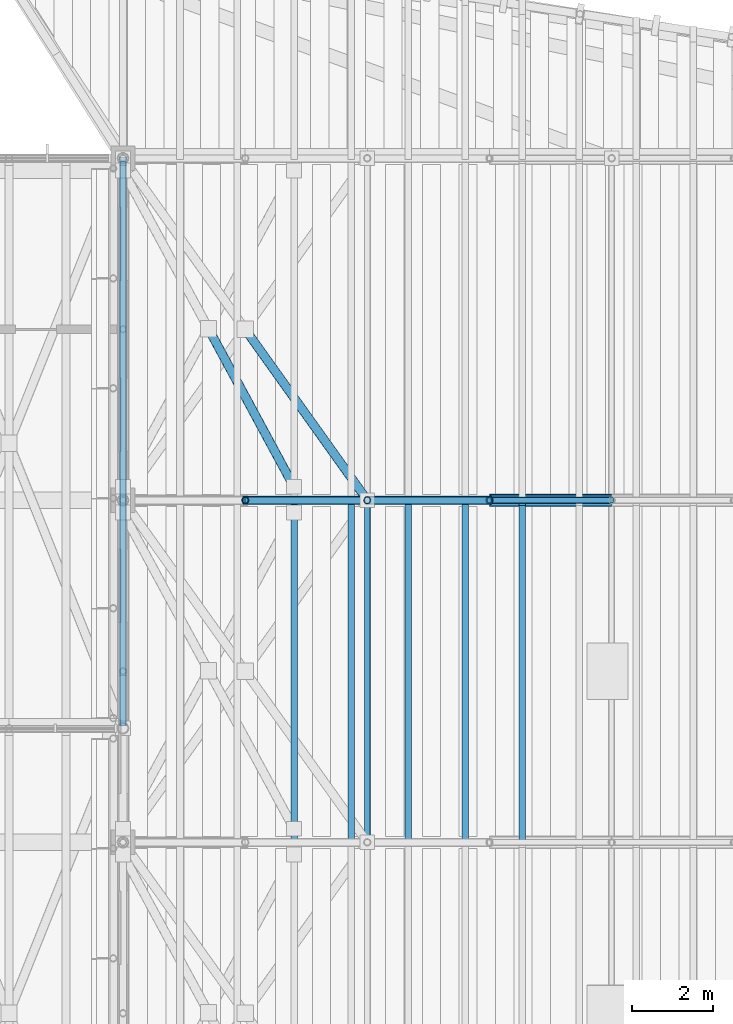
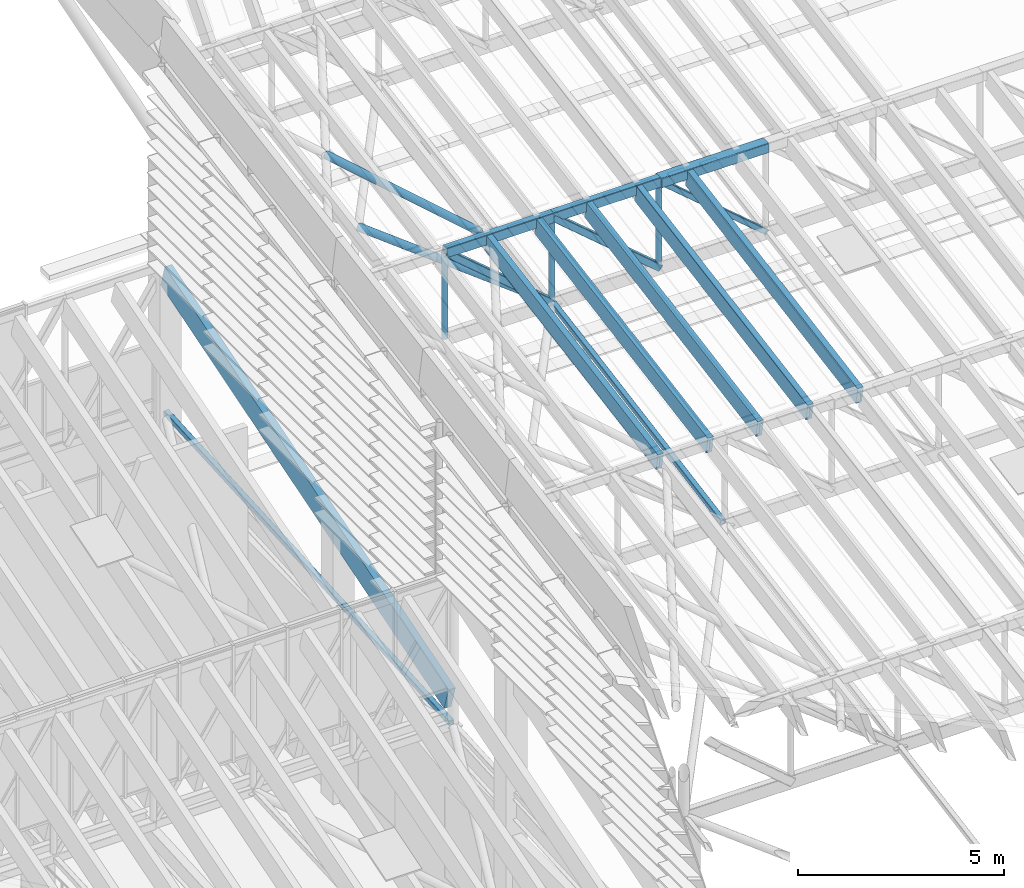
# One storey, part 36 of 91: 19 members.
"""IFC4 building model written with IfcOpenShell, lengths in metres."""

from ifc_helpers import new_model, si_unit, direction, frame, origin, origin_2d, place, context, subcontext, project, spatial, rectangle, hollow_rectangle, hollow_circle, extrude, material, material_profile, profile_set, type_object, element, save


model = new_model("IFC4")

# Units and contexts
model_context = context("Model", 3, precision=1e-05, world=origin(), true_north=direction((0.0, 1.0)))
body_context = subcontext(model_context, "Body", "Model", "MODEL_VIEW")
ifc_project = project(units=[si_unit("LENGTHUNIT", "METRE"), si_unit("AREAUNIT", "SQUARE_METRE"), si_unit("VOLUMEUNIT", "CUBIC_METRE"), si_unit("PLANEANGLEUNIT", "RADIAN"), si_unit("MASSUNIT", "GRAM", prefix="KILO")], contexts=[model_context])

# Site, building, storey
site_placement = place(None, origin())
site = spatial("IfcSite", under=ifc_project, at=site_placement, CompositionType="ELEMENT")
building_placement = place(site_placement, origin())
building = spatial("IfcBuilding", under=site, at=building_placement, Name="Almond Square Museum", CompositionType="ELEMENT")
storey_placement = place(building_placement, frame((0.0, 0.0, 30.0)))
storey = spatial("IfcBuildingStorey", under=building, at=storey_placement, Name="L05", CompositionType="ELEMENT", Elevation=30.0)

# Members
ifc_material_1 = material(Name="Glulam GL28h", Category="wood")
ifc_material_profile_1 = material_profile(ifc_material_1, rectangle(XDim=0.159912109375, YDim=0.5, at=origin_2d()))
ifc_profile_set_1 = profile_set([ifc_material_profile_1], Name="Glulam GL28h")
member_type_1 = type_object("IfcMemberType", Name="Glulam rafter GL28h 160x500", PredefinedType="RAFTER", material=ifc_profile_set_1)
for number, where, z_axis, x_axis, name in (
    (1, (111.0, 92.429931640625, 13.5), (0.0, 0.985031814679, 0.172372631444), (-1.0, 0.0, 0.0), "Hall rafter 6.4"),
    (2, (112.39990234375, 92.429931640625, 13.5), (0.0, 0.985031814679, 0.172372631444), (-1.0, 0.0, 0.0), "Hall rafter 6.5"),
    (3, (113.800048828125, 92.429931640625, 13.5), (0.0, 0.985031814679, 0.172372631444), (-1.0, 0.0, 0.0), "Hall rafter 6.6"),
    (4, (115.199951171875, 92.429931640625, 13.5), (0.0, 0.985031814679, 0.172372631444), (-1.0, 0.0, 0.0), "Hall rafter 6.7"),
):
    element("IfcMember", number, at=place(storey_placement, frame(where, z_axis=z_axis, x_axis=x_axis)), inside=storey, type_object=member_type_1, Name=name, PredefinedType="RAFTER", context=body_context, shape_type="SweptSolid", body=[
        extrude(rectangle(XDim=0.159912109375, YDim=0.5, at=origin_2d()), origin(), (0.0, 0.0, 1.0), 8.4599609375),
    ])
member_1_placement = place(storey_placement, frame((116.60009765625, 92.429931640625, 13.5), z_axis=(0.0, 0.985032439013, 0.172369063618), x_axis=(-1.0, 0.0, 0.0)))
element("IfcMember", 5, at=member_1_placement, inside=storey, type_object=member_type_1, Name="Hall rafter 6.8", PredefinedType="RAFTER", context=body_context, shape_type="SweptSolid", body=[
    extrude(rectangle(XDim=0.159912109375, YDim=0.5, at=origin_2d()), origin(), (0.0, 0.0, 1.0), 8.4091796875),
])
ifc_material_2 = material(Name="Glulam GL28h", Category="wood")
ifc_material_profile_2 = material_profile(ifc_material_2, rectangle(XDim=0.199951171875, YDim=0.699951171875, at=origin_2d()))
ifc_profile_set_2 = profile_set([ifc_material_profile_2], Name="Glulam GL28h")
member_type_2 = type_object("IfcMemberType", Name="Glulam rafter GL28h 200x700", PredefinedType="RAFTER", material=ifc_profile_set_2)
member_2_placement = place(storey_placement, frame((106.800048828125, 95.35791015625, 6.177734375), z_axis=(0.0, 0.956305482031, 0.29236932985), x_axis=(-1.0, 0.0, 0.0)))
element("IfcMember", 6, at=member_2_placement, inside=storey, type_object=member_type_2, Name="Atrium rafter 3.25", PredefinedType="RAFTER", context=body_context, shape_type="SweptSolid", body=[
    extrude(rectangle(XDim=0.199951171875, YDim=0.699951171875, at=origin_2d()), origin(), (0.0, 0.0, 1.0), 14.396240234375),
])
ifc_material_3 = material(Name="Structural steel S355", Category="steel")
ifc_material_profile_3 = material_profile(ifc_material_3, hollow_circle(Radius=0.109619140625, WallThickness=0.010009765625, at=origin_2d()))
ifc_profile_set_3 = profile_set([ifc_material_profile_3], Name="Structural steel S355")
member_type_3 = type_object("IfcMemberType", Name="Roof brace CHS 219.1x10", PredefinedType="BRACE", material=ifc_profile_set_3)
member_3_placement = place(storey_placement, frame((112.800048828125, 100.800048828125, 12.52001953125), z_axis=(-0.575439424931, 0.805605829028, 0.140956434655), x_axis=(-0.813730275137, -0.581242668191, 0.0)))
element("IfcMember", 7, at=member_3_placement, inside=storey, type_object=member_type_3, Name="Hall bay 7 plan brace", PredefinedType="BRACE", context=body_context, shape_type="SweptSolid", body=[
    extrude(hollow_circle(Radius=0.109619140625, WallThickness=0.010009765625, at=origin_2d()), origin(), (0.0, 0.0, 1.0), 5.21337890625),
])
member_4_placement = place(storey_placement, frame((111.0, 101.1298828125, 15.0224609375), z_axis=(-0.46999556541, 0.86945354945, 0.15216666469), x_axis=(-0.879697763355, -0.475533221918, 0.0)))
element("IfcMember", 8, at=member_4_placement, inside=storey, type_object=member_type_3, Name="Hall roof plane brace 7", PredefinedType="BRACE", context=body_context, shape_type="SweptSolid", body=[
    extrude(hollow_circle(Radius=0.109619140625, WallThickness=0.010009765625, at=origin_2d()), origin(), (0.0, 0.0, 1.0), 4.46826171875),
])
ifc_material_4 = material(Name="Structural steel S355", Category="steel")
ifc_material_profile_4 = material_profile(ifc_material_4, hollow_rectangle(XDim=0.199951171875, YDim=0.300048828125, WallThickness=0.010009765625, InnerFilletRadius=0.014892578125, OuterFilletRadius=0.02490234375, at=origin_2d()))
ifc_profile_set_4 = profile_set([ifc_material_profile_4], Name="Structural steel S355")
member_type_4 = type_object("IfcMemberType", Name="Truss chord RHS 300x200x10", PredefinedType="CHORD", material=ifc_profile_set_4)
for number, where, z_axis, x_axis, name in (
    (9, (109.800048828125, 100.800048828125, 15.068603515625), (1.0, 0.0, 0.0), (0.0, 1.0, 0.0), "TR-07 top chord 2"),
    (10, (112.800048828125, 100.800048828125, 15.068603515625), (1.0, 0.0, 0.0), (0.0, 1.0, 0.0), "TR-07 top chord 3"),
):
    element("IfcMember", number, at=place(storey_placement, frame(where, z_axis=z_axis, x_axis=x_axis)), inside=storey, type_object=member_type_4, Name=name, PredefinedType="CHORD", context=body_context, shape_type="SweptSolid", body=[
        extrude(hollow_rectangle(XDim=0.199951171875, YDim=0.300048828125, WallThickness=0.010009765625, InnerFilletRadius=0.014892578125, OuterFilletRadius=0.02490234375, at=origin_2d()), origin(), (0.0, 0.0, 1.0), 3.0),
    ])
ifc_material_5 = material(Name="Structural steel S355", Category="steel")
ifc_material_profile_5 = material_profile(ifc_material_5, hollow_rectangle(XDim=0.300048828125, YDim=0.300048828125, WallThickness=0.012451171875, InnerFilletRadius=0.02490234375, OuterFilletRadius=0.03759765625, at=origin_2d()))
ifc_profile_set_5 = profile_set([ifc_material_profile_5], Name="Structural steel S355")
member_type_5 = type_object("IfcMemberType", Name="Truss chord SHS 300x300x12.5", PredefinedType="CHORD", material=ifc_profile_set_5)
member_5_placement = place(storey_placement, frame((115.800048828125, 100.800048828125, 15.068603515625), z_axis=(1.0, 0.0, 0.0), x_axis=(0.0, 1.0, 0.0)))
element("IfcMember", 11, at=member_5_placement, inside=storey, type_object=member_type_5, Name="TR-07 top chord 4", PredefinedType="CHORD", context=body_context, shape_type="SweptSolid", body=[
    extrude(hollow_rectangle(XDim=0.300048828125, YDim=0.300048828125, WallThickness=0.012451171875, InnerFilletRadius=0.02490234375, OuterFilletRadius=0.03759765625, at=origin_2d()), origin(), (0.0, 0.0, 1.0), 3.0),
])
ifc_material_6 = material(Name="Structural steel S355", Category="steel")
ifc_material_profile_6 = material_profile(ifc_material_6, hollow_rectangle(XDim=0.14990234375, YDim=0.14990234375, WallThickness=0.008056640625, InnerFilletRadius=0.011962890625, OuterFilletRadius=0.02001953125, at=origin_2d()))
ifc_profile_set_6 = profile_set([ifc_material_profile_6], Name="Structural steel S355")
member_type_6 = type_object("IfcMemberType", Name="Truss diagonal SHS 150x150x8", PredefinedType="BRACE", material=ifc_profile_set_6)
member_6_placement = place(storey_placement, frame((115.800048828125, 100.800048828125, 15.068603515625), z_axis=(0.762116801264, 0.0, -0.647439557975), x_axis=(0.0, 1.0, 0.0)))
element("IfcMember", 12, at=member_6_placement, inside=storey, type_object=member_type_6, Name="TR-07 diagonal 4", PredefinedType="BRACE", context=body_context, shape_type="SweptSolid", body=[
    extrude(hollow_rectangle(XDim=0.14990234375, YDim=0.14990234375, WallThickness=0.008056640625, InnerFilletRadius=0.011962890625, OuterFilletRadius=0.02001953125, at=origin_2d()), origin(), (0.0, 0.0, 1.0), 3.9365234375),
])
ifc_material_7 = material(Name="Structural steel S355", Category="steel")
ifc_material_profile_7 = material_profile(ifc_material_7, hollow_rectangle(XDim=0.199951171875, YDim=0.199951171875, WallThickness=0.010009765625, InnerFilletRadius=0.014892578125, OuterFilletRadius=0.02490234375, at=origin_2d()))
ifc_profile_set_7 = profile_set([ifc_material_profile_7], Name="Structural steel S355")
member_type_7 = type_object("IfcMemberType", Name="Truss diagonal SHS 200x200x10", PredefinedType="BRACE", material=ifc_profile_set_7)
for number, where, z_axis, x_axis, name in (
    (13, (109.800048828125, 100.800048828125, 15.068603515625), (0.762116801264, 0.0, -0.647439557975), (0.0, 1.0, 0.0), "TR-07 diagonal 2"),
    (14, (112.800048828125, 100.800048828125, 15.068603515625), (0.762116801264, 0.0, -0.647439557975), (0.0, 1.0, 0.0), "TR-07 diagonal 3"),
):
    element("IfcMember", number, at=place(storey_placement, frame(where, z_axis=z_axis, x_axis=x_axis)), inside=storey, type_object=member_type_7, Name=name, PredefinedType="BRACE", context=body_context, shape_type="SweptSolid", body=[
        extrude(hollow_rectangle(XDim=0.199951171875, YDim=0.199951171875, WallThickness=0.010009765625, InnerFilletRadius=0.014892578125, OuterFilletRadius=0.02490234375, at=origin_2d()), origin(), (0.0, 0.0, 1.0), 3.9365234375),
    ])
ifc_material_8 = material(Name="Structural steel S355", Category="steel")
ifc_material_profile_8 = material_profile(ifc_material_8, hollow_circle(Radius=0.084228515625, WallThickness=0.008056640625, at=origin_2d()))
ifc_profile_set_8 = profile_set([ifc_material_profile_8], Name="Structural steel S355")
member_type_8 = type_object("IfcMemberType", Name="Truss post CHS 168.3x8", PredefinedType="POST", material=ifc_profile_set_8)
for number, where, z_axis, x_axis, name in (
    (15, (109.800048828125, 100.800048828125, 12.52001953125), (0.0, 0.0, 1.0), (1.0, 0.0, 0.0), "TR-07 post 2"),
    (16, (112.800048828125, 100.800048828125, 12.52001953125), (0.0, 0.0, 1.0), (1.0, 0.0, 0.0), "TR-07 post 3"),
    (17, (115.800048828125, 100.800048828125, 12.52001953125), (0.0, 0.0, 1.0), (1.0, 0.0, 0.0), "TR-07 post 4"),
):
    element("IfcMember", number, at=place(storey_placement, frame(where, z_axis=z_axis, x_axis=x_axis)), inside=storey, type_object=member_type_8, Name=name, PredefinedType="POST", context=body_context, shape_type="SweptSolid", body=[
        extrude(hollow_circle(Radius=0.084228515625, WallThickness=0.008056640625, at=origin_2d()), origin(), (0.0, 0.0, 1.0), 2.548583984375),
    ])
ifc_material_9 = material(Name="Structural steel S355", Category="steel")
ifc_material_profile_9 = material_profile(ifc_material_9, hollow_rectangle(XDim=0.14990234375, YDim=0.14990234375, WallThickness=0.008056640625, InnerFilletRadius=0.011962890625, OuterFilletRadius=0.02001953125, at=origin_2d()))
ifc_profile_set_9 = profile_set([ifc_material_profile_9], Name="Structural steel S355")
member_type_9 = type_object("IfcMemberType", Name="Truss tie SHS 150x150x8", PredefinedType="MEMBER", material=ifc_profile_set_9)
member_7_placement = place(storey_placement, frame((112.800048828125, 92.47509765625, 11.050048828125), z_axis=(0.0, 0.984494486924, 0.175415521596), x_axis=(-1.0, 0.0, 0.0)))
element("IfcMember", 18, at=member_7_placement, inside=storey, type_object=member_type_9, Name="Hall bay 6 tie 2", PredefinedType="MEMBER", context=body_context, shape_type="SweptSolid", body=[
    extrude(hollow_rectangle(XDim=0.14990234375, YDim=0.14990234375, WallThickness=0.008056640625, InnerFilletRadius=0.011962890625, OuterFilletRadius=0.02001953125, at=origin_2d()), origin(), (0.0, 0.0, 1.0), 8.3798828125),
])
member_8_placement = place(storey_placement, frame((106.800048828125, 95.27490234375, 5.505126953125), z_axis=(0.0, 0.998335774698, 0.057668717322), x_axis=(-1.0, 0.0, 0.0)))
element("IfcMember", 19, at=member_8_placement, inside=storey, type_object=member_type_9, Name="Atrium bay 2 tie 7", PredefinedType="MEMBER", context=body_context, shape_type="SweptSolid", body=[
    extrude(hollow_rectangle(XDim=0.14990234375, YDim=0.14990234375, WallThickness=0.008056640625, InnerFilletRadius=0.011962890625, OuterFilletRadius=0.02001953125, at=origin_2d()), origin(), (0.0, 0.0, 1.0), 13.873291015625),
])

save(model, "model.ifc")
